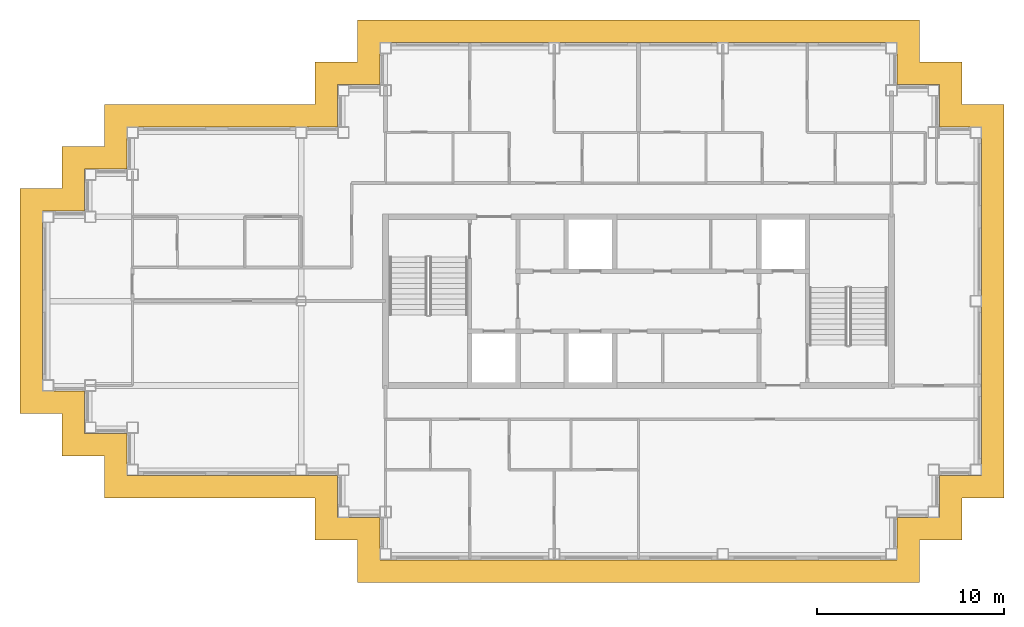
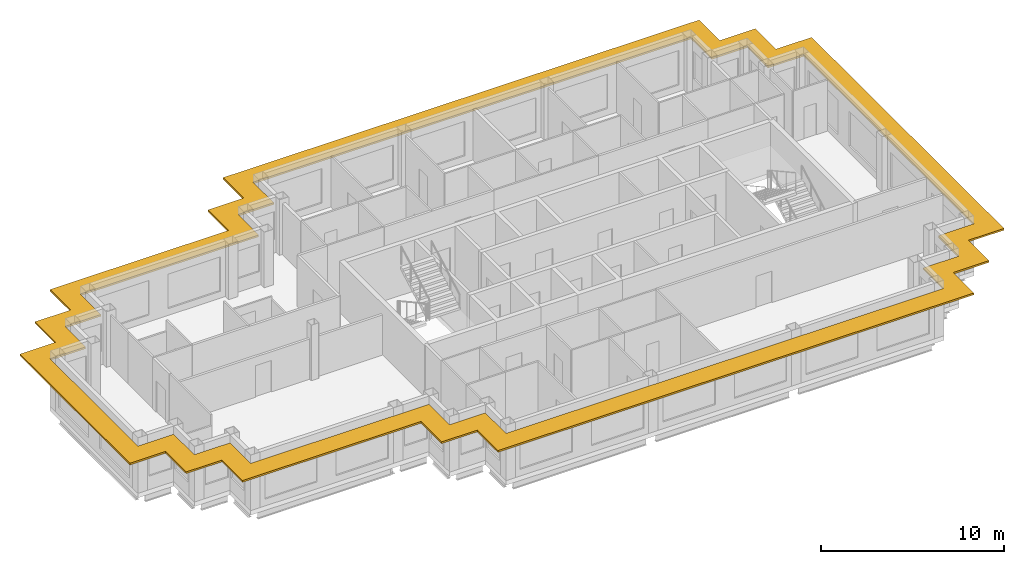
# One storey, part 11 of 12: 1 shading device.
"""IFC4 building model written with IfcOpenShell, lengths in metres."""

import ifcopenshell
import ifcopenshell.guid

model = None  # the IFC model being written
_history = None  # IfcOwnerHistory: only IFC2X3 demands one
_inside = {}  # id of a spatial element -> (the spatial element, [elements in it])
_under = {}  # id of a project, library or spatial element -> (it, [spatial elements below it])
_declared = {}  # id of a project -> (the project, [libraries it declares])
_typed = {}  # id of a type object -> (the type object, [elements of that type])
_made_of = {}  # id of a material, layer set ... -> (it, [elements and type objects made of it])


def new_model(schema):
    """Start an empty IFC model of exactly this schema.

    Asked for "IFC4X3", IfcOpenShell would pick the latest addendum, in which some entities
    have other attributes; the version numbers below select the first issue.
    IFC2X3 requires an IfcOwnerHistory on every rooted entity: one is made here for all.
    """
    global model, _history
    if schema == "IFC4X3":
        model = ifcopenshell.file(schema_version=(4, 3, 0, 0))
    else:
        model = ifcopenshell.file(schema=schema)
    _inside.clear()
    _under.clear()
    _declared.clear()
    _typed.clear()
    _made_of.clear()
    _history = None
    if model.schema == "IFC2X3":
        org = make("IfcOrganization", Name="unknown")
        user = make(
            "IfcPersonAndOrganization",
            ThePerson=make("IfcPerson", FamilyName="unknown"),
            TheOrganization=org,
        )
        app = make(
            "IfcApplication",
            ApplicationDeveloper=org,
            Version="unknown",
            ApplicationFullName="unknown",
            ApplicationIdentifier="unknown",
        )
        _history = make(
            "IfcOwnerHistory",
            OwningUser=user,
            OwningApplication=app,
            ChangeAction="ADDED",
            CreationDate=0,
        )
    return model


def make(cls, **values):
    """One entity of the class cls with the attributes given. An attribute that is None is left unset."""
    return model.create_entity(
        cls, **{name: value for name, value in values.items() if value is not None}
    )


def rooted(cls, **values):
    """An entity with a GlobalId (a new one), such as an element, a storey or a relation."""
    return make(cls, GlobalId=ifcopenshell.guid.new(), OwnerHistory=_history, **values)


def si_unit(unit_type, name, prefix=None):
    """IfcSIUnit, for example si_unit("LENGTHUNIT", "METRE", prefix="MILLI")."""
    return make("IfcSIUnit", UnitType=unit_type, Prefix=prefix, Name=name)


def assignment(units):
    """IfcUnitAssignment: the units of a project."""
    return None if units is None else make("IfcUnitAssignment", Units=units)


def point(xyz):
    """IfcCartesianPoint."""
    return None if xyz is None else make("IfcCartesianPoint", Coordinates=xyz)


def direction(xyz):
    """IfcDirection."""
    return None if xyz is None else make("IfcDirection", DirectionRatios=xyz)


def frame(location, z_axis=None, x_axis=None):
    """IfcAxis2Placement3D, a coordinate frame: its origin and axes. An axis left out is left unset."""
    return make(
        "IfcAxis2Placement3D",
        Location=point(location),
        Axis=direction(z_axis),
        RefDirection=direction(x_axis),
    )


def origin():
    """The frame at (0, 0, 0) with its axes left unset."""
    return frame((0.0, 0.0, 0.0))


def place(relative_to, where):
    """IfcLocalPlacement: puts the frame where relative to a parent placement (None: the world)."""
    return make(
        "IfcLocalPlacement", PlacementRelTo=relative_to, RelativePlacement=where
    )


def context(
    kind, dimensions, precision=None, world=None, true_north=None, identifier=None
):
    """IfcGeometricRepresentationContext, for example the 3D "Model" context."""
    return make(
        "IfcGeometricRepresentationContext",
        ContextIdentifier=identifier,
        ContextType=kind,
        CoordinateSpaceDimension=dimensions,
        Precision=precision,
        WorldCoordinateSystem=world,
        TrueNorth=true_north,
    )


def subcontext(parent, identifier, kind, view, scale=None):
    """IfcGeometricRepresentationSubContext, for example "Body" below "Model"."""
    return make(
        "IfcGeometricRepresentationSubContext",
        ContextIdentifier=identifier,
        ContextType=kind,
        ParentContext=parent,
        TargetScale=scale,
        TargetView=view,
    )


def project(units=None, contexts=None):
    """IfcProject with its units and contexts."""
    return rooted(
        "IfcProject",
        Name="project",
        RepresentationContexts=contexts,
        UnitsInContext=assignment(units),
    )


def spatial(cls, under=None, at=None, **own):
    """A site, building, storey or space (cls), placed at a placement, below another one or the project."""
    s = rooted(cls, ObjectPlacement=at, **own)
    if under is not None:
        _under.setdefault(under.id(), (under, []))[1].append(s)
    return s


def polyline(points):
    """IfcPolyline through the points."""
    return make("IfcPolyline", Points=[point(p) for p in points])


def outline(outer, holes=None, kind="AREA"):
    """IfcArbitraryClosedProfileDef: a profile drawn as a closed curve; with holes, ...WithVoids."""
    if holes is None:
        return make("IfcArbitraryClosedProfileDef", ProfileType=kind, OuterCurve=outer)
    return make(
        "IfcArbitraryProfileDefWithVoids",
        ProfileType=kind,
        OuterCurve=outer,
        InnerCurves=holes,
    )


def extrude(swept, where, along, depth):
    """IfcExtrudedAreaSolid: the profile swept, set in the frame where, extruded along a direction by depth."""
    return make(
        "IfcExtrudedAreaSolid",
        SweptArea=swept,
        Position=where,
        ExtrudedDirection=direction(along),
        Depth=depth,
    )


def shape(context_of_items, identifier, shape_type, items):
    """IfcShapeRepresentation: the items that make up one representation, for example the "Body"."""
    return make(
        "IfcShapeRepresentation",
        ContextOfItems=context_of_items,
        RepresentationIdentifier=identifier,
        RepresentationType=shape_type,
        Items=items,
    )


def material(Name=None, Category=None):
    """IfcMaterial."""
    return make("IfcMaterial", Name=Name, Category=Category)


def layer(
    of_material, thickness, ventilated=None, Name=None, Category=None, Priority=None
):
    """IfcMaterialLayer: one layer of a wall or slab, of a material (None: an air gap)."""
    return make(
        "IfcMaterialLayer",
        Material=of_material,
        LayerThickness=thickness,
        IsVentilated=ventilated,
        Name=Name,
        Category=Category,
        Priority=Priority,
    )


def layer_set(layers, Name=None):
    """IfcMaterialLayerSet."""
    return make("IfcMaterialLayerSet", MaterialLayers=layers, LayerSetName=Name)


def made_of(thing, what):
    """Note that an element or type object is made of a material, layer set ...; save() writes the relation."""
    if what is not None:
        _made_of.setdefault(what.id(), (what, []))[1].append(thing)
    return thing


def type_object(cls, material=None, **own):
    """A type object (cls), such as IfcWallType, which elements share."""
    return made_of(rooted(cls, **own), material)


def element(
    cls,
    number,
    at=None,
    inside=None,
    cuts=None,
    type_object=None,
    material=None,
    context=None,
    identifier="Body",
    shape_type=None,
    held_by="IfcProductDefinitionShape",
    body=None,
    shapes=None,
    **own,
):
    """One element of the class cls, such as IfcWall. Its Tag is "e" and its number.

    at: its placement. inside: the storey or other place that contains it. cuts: it is an
    opening in that element (IfcRelVoidsElement). A single representation is given by context,
    identifier, shape_type and body (its items); several are given by shapes. held_by: the class
    of the entity that holds the representations. save() writes the other relations.
    """
    e = rooted(cls, Tag="e%d" % number, ObjectPlacement=at, **own)
    if body is not None:
        shapes = [shape(context, identifier, shape_type, body)]
    if shapes is not None:
        e.Representation = make(held_by, Representations=shapes)
    if inside is not None:
        _inside.setdefault(inside.id(), (inside, []))[1].append(e)
    if cuts is not None:
        rooted(
            "IfcRelVoidsElement", RelatingBuildingElement=cuts, RelatedOpeningElement=e
        )
    if type_object is not None:
        _typed.setdefault(type_object.id(), (type_object, []))[1].append(e)
    return made_of(e, material)


def aggregate(whole, parts):
    """IfcRelAggregates: a whole, such as a stair, and the parts it consists of."""
    return rooted("IfcRelAggregates", RelatingObject=whole, RelatedObjects=parts)


def save(model, path):
    """Write the relations noted so far, then the file.

    IfcRelAggregates (storeys below a building ...), IfcRelContainedInSpatialStructure (elements
    in a storey), IfcRelDefinesByType, IfcRelAssociatesMaterial and IfcRelDeclares: one each for
    every whole, place, type object, material and project.
    """
    for whole, parts in _under.values():
        aggregate(whole, parts)
    for where, things in _inside.values():
        rooted(
            "IfcRelContainedInSpatialStructure",
            RelatedElements=things,
            RelatingStructure=where,
        )
    for kind, things in _typed.values():
        rooted("IfcRelDefinesByType", RelatedObjects=things, RelatingType=kind)
    for what, things in _made_of.values():
        rooted("IfcRelAssociatesMaterial", RelatedObjects=things, RelatingMaterial=what)
    for by, libraries in _declared.values():
        rooted("IfcRelDeclares", RelatingContext=by, RelatedDefinitions=libraries)
    model.write(path)


model = new_model("IFC4")

# Units and contexts
model_context = context("Model", 3, precision=1e-05, world=origin(), true_north=direction((0.0, 1.0)))
body_context = subcontext(model_context, "Body", "Model", "MODEL_VIEW")
ifc_project = project(units=[si_unit("LENGTHUNIT", "METRE"), si_unit("AREAUNIT", "SQUARE_METRE"), si_unit("VOLUMEUNIT", "CUBIC_METRE"), si_unit("PLANEANGLEUNIT", "RADIAN"), si_unit("MASSUNIT", "GRAM", prefix="KILO")], contexts=[model_context])

# Site, building, storey
site_placement = place(None, origin())
site = spatial("IfcSite", under=ifc_project, at=site_placement, CompositionType="ELEMENT")
building_placement = place(site_placement, origin())
building = spatial("IfcBuilding", under=site, at=building_placement, Name="Caravel Reach Hotel and Residences", CompositionType="ELEMENT")
storey_placement = place(building_placement, frame((0.0, 0.0, 245.300048828125)))
storey = spatial("IfcBuildingStorey", under=building, at=storey_placement, Name="L62", CompositionType="ELEMENT", Elevation=245.300048828125)

# Shading device
ifc_material = material(Name="Black powder-coated aluminium", Category="aluminium")
ifc_layer = layer(ifc_material, 0.1201171875)
ifc_layer_set = layer_set([ifc_layer], Name="SS1 Sunshade band 1200")
shading_device_type = type_object("IfcShadingDeviceType", Name="SS1 Sunshade band 1200", PredefinedType="USERDEFINED", material=ifc_layer_set)
shading_device_placement = place(storey_placement, frame((0.0, 0.0, 3.0400390625)))
element("IfcShadingDevice", 1, at=shading_device_placement, inside=storey, type_object=shading_device_type, Name="Sunshade L62 1", ObjectType="SUNSHADE", PredefinedType="USERDEFINED", context=body_context, shape_type="SweptSolid", body=[
    extrude(outline(polyline([(3.0, 16.5), (14.25, 16.5), (14.25, 14.25), (16.5, 14.25), (16.5, 12.0), (46.5, 12.0), (46.5, 14.25), (48.75, 14.25), (48.75, 16.5), (51.0, 16.5), (51.0, 37.5), (48.75, 37.5), (48.75, 39.75), (46.5, 39.75), (46.5, 42.0), (16.5, 42.0), (16.5, 39.75), (14.25, 39.75), (14.25, 37.5), (3.0, 37.5), (3.0, 35.25), (0.75, 35.25), (0.75, 33.0), (-1.5, 33.0), (-1.5, 21.0), (0.75, 21.0), (0.75, 18.75), (3.0, 18.75), (3.0, 16.5)]), holes=[polyline([(15.449951171875, 15.449951171875), (15.449951171875, 17.699951171875), (4.199951171875, 17.699951171875), (4.199951171875, 19.949951171875), (1.949951171875, 19.949951171875), (1.949951171875, 22.199951171875), (-0.300048828125, 22.199951171875), (-0.300048828125, 31.800048828125), (1.949951171875, 31.800048828125), (1.949951171875, 34.050048828125), (4.199951171875, 34.050048828125), (4.199951171875, 36.300048828125), (15.449951171875, 36.300048828125), (15.449951171875, 38.550048828125), (17.699951171875, 38.550048828125), (17.699951171875, 40.800048828125), (45.300048828125, 40.800048828125), (45.300048828125, 38.550048828125), (47.550048828125, 38.550048828125), (47.550048828125, 36.300048828125), (49.800048828125, 36.300048828125), (49.800048828125, 17.699951171875), (47.550048828125, 17.699951171875), (47.550048828125, 15.449951171875), (45.300048828125, 15.449951171875), (45.300048828125, 13.199951171875), (17.699951171875, 13.199951171875), (17.699951171875, 15.449951171875), (15.449951171875, 15.449951171875)])]), origin(), (0.0, 0.0, 1.0), 0.119873046875),
])

save(model, "model.ifc")
